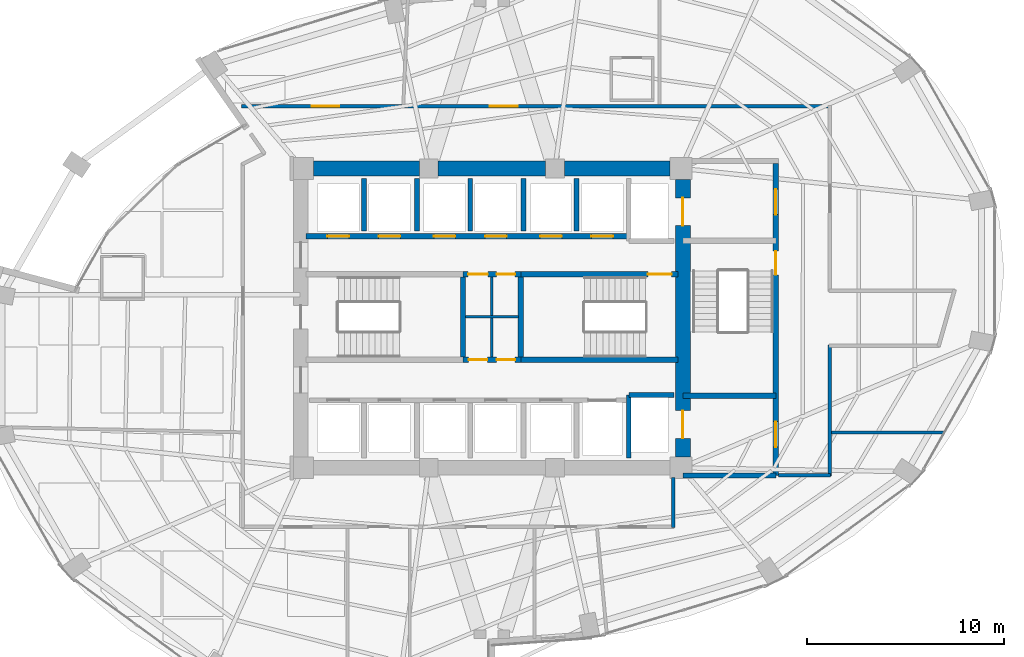
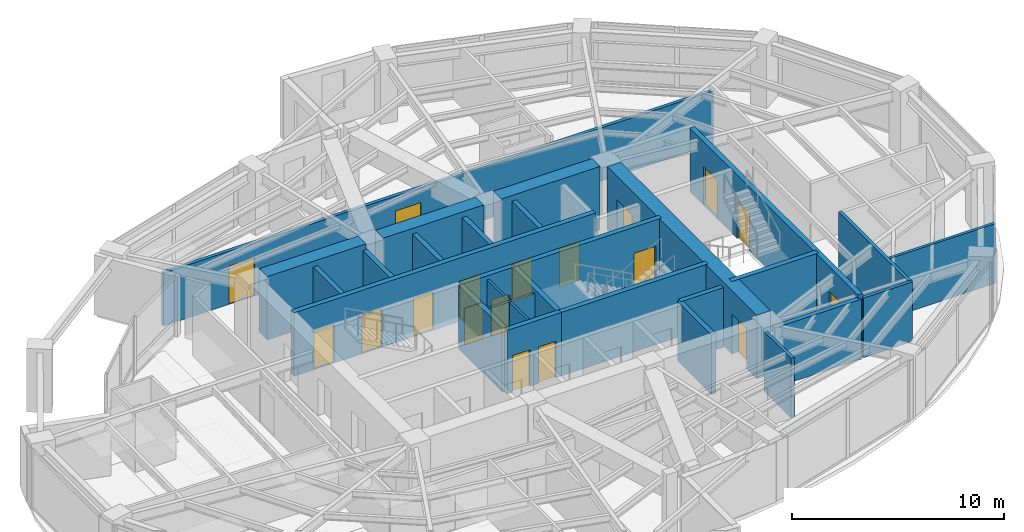
# One storey, part 21 of 24: 28 walls, 18 doors, 18 openings.
"""IFC4 building model written with IfcOpenShell, lengths in metres."""

from ifc_helpers import new_model, si_unit, direction, frame, frame_2d, origin, place, context, subcontext, project, spatial, rectangle, extrude, material, layer, layer_set, type_object, element, fill, save


model = new_model("IFC4")

# Units and contexts
model_context = context("Model", 3, precision=1e-05, world=origin(), true_north=direction((0.0, 1.0)))
body_context = subcontext(model_context, "Body", "Model", "MODEL_VIEW")
ifc_project = project(units=[si_unit("LENGTHUNIT", "METRE"), si_unit("AREAUNIT", "SQUARE_METRE"), si_unit("VOLUMEUNIT", "CUBIC_METRE"), si_unit("PLANEANGLEUNIT", "RADIAN"), si_unit("MASSUNIT", "GRAM", prefix="KILO")], contexts=[model_context])

# Site, building, storey
site_placement = place(None, origin())
site = spatial("IfcSite", under=ifc_project, at=site_placement, CompositionType="ELEMENT")
building_placement = place(site_placement, origin())
building = spatial("IfcBuilding", under=site, at=building_placement, Name="Lazwardi Medical Tower", CompositionType="ELEMENT")
storey_placement = place(building_placement, frame((0.0, 0.0, 114.575927734375)))
storey = spatial("IfcBuildingStorey", under=building, at=storey_placement, Name="L29", CompositionType="ELEMENT", Elevation=114.575927734375)

# Wall, openings, doors
ifc_material_1 = material(Name="Fire-rated gypsum board on steel stud", Category="steel")
ifc_layer_1 = layer(ifc_material_1, 0.179931640625)
ifc_layer_set_1 = layer_set([ifc_layer_1], Name="Fire-rated gypsum board on steel stud")
wall_type_1 = type_object("IfcWallType", Name="WL-COR-180", PredefinedType="PARTITIONING", material=ifc_layer_set_1)
wall_1_placement = place(storey_placement, frame((23.28662109375, 38.75, 0.0), z_axis=(0.0, 0.0, 1.0), x_axis=(1.0, 0.0, 0.0)))
wall_1 = element("IfcWall", 1, at=wall_1_placement, inside=storey, type_object=wall_type_1, Name="L29 Corridor partition 4", PredefinedType="PARTITIONING", context=body_context, shape_type="SweptSolid", body=[
    extrude(rectangle(XDim=29.9033203125, YDim=0.179931640625, at=frame_2d((14.95166015625, 0.0))), origin(), (0.0, 0.0, 1.0), 3.052978515625),
])
opening_1_placement = place(wall_1_placement, frame((12.614990234375, 0.0, 0.0)))
opening_1 = element("IfcOpeningElement", 2, at=opening_1_placement, cuts=wall_1, Name="Opening D-L29-017", PredefinedType="OPENING", context=body_context, shape_type="SweptSolid", body=[
    extrude(rectangle(XDim=1.39990234375, YDim=2.199951171875, at=frame_2d((0.699951171875, 1.10009765625))), frame((0.0, 0.099853515625, 0.0), z_axis=(0.0, -1.0, 0.0), x_axis=(1.0, 0.0, 0.0)), (0.0, 0.0, 1.0), 0.199951171875),
])
opening_2_placement = place(wall_1_placement, frame((3.5673828125, 0.0, 0.0)))
opening_2 = element("IfcOpeningElement", 3, at=opening_2_placement, cuts=wall_1, Name="Opening D-L29-018", PredefinedType="OPENING", context=body_context, shape_type="SweptSolid", body=[
    extrude(rectangle(XDim=1.39990234375, YDim=2.199951171875, at=frame_2d((0.699951171875, 1.10009765625))), frame((0.0, 0.099853515625, 0.0), z_axis=(0.0, -1.0, 0.0), x_axis=(1.0, 0.0, 0.0)), (0.0, 0.0, 1.0), 0.199951171875),
])
ifc_material_2 = material(Name="Anti-microbial laminate hospital leaf")
door_type_1 = type_object("IfcDoorType", Name="DR-BED-1400", OperationType="NOTDEFINED", PredefinedType="DOOR", material=ifc_material_2)
door_1_placement = place(opening_1_placement, origin())
door_1 = element("IfcDoor", 4, at=door_1_placement, inside=storey, type_object=door_type_1, Name="L29 Inpatient Ward Door 07", OperationType="SINGLE_SWING_LEFT", OverallHeight=2.199951171875, OverallWidth=1.39990234375, PredefinedType="DOOR", context=body_context, shape_type="SweptSolid", body=[
    extrude(rectangle(XDim=1.39990234375, YDim=2.199951171875, at=frame_2d((0.699951171875, 1.10009765625))), frame((0.0, 0.02490234375, 0.0), z_axis=(0.0, -1.0, 0.0), x_axis=(1.0, 0.0, 0.0)), (0.0, 0.0, 1.0), 0.050048828125),
])
fill(opening_1, door_1)
door_2_placement = place(opening_2_placement, origin())
door_2 = element("IfcDoor", 5, at=door_2_placement, inside=storey, type_object=door_type_1, Name="L29 Inpatient Ward Door 08", OperationType="SINGLE_SWING_RIGHT", OverallHeight=2.199951171875, OverallWidth=1.39990234375, PredefinedType="DOOR", context=body_context, shape_type="SweptSolid", body=[
    extrude(rectangle(XDim=1.39990234375, YDim=2.199951171875, at=frame_2d((0.699951171875, 1.10009765625))), frame((0.0, 0.02490234375, 0.0), z_axis=(0.0, -1.0, 0.0), x_axis=(1.0, 0.0, 0.0)), (0.0, 0.0, 1.0), 0.050048828125),
])
fill(opening_2, door_2)

# Walls
wall_2_placement = place(storey_placement, frame((53.14990234375, 26.639892578125, 0.0), z_axis=(0.0, 0.0, 1.0), x_axis=(0.0, -1.0, 0.0)))
element("IfcWall", 6, at=wall_2_placement, inside=storey, type_object=wall_type_1, Name="L29 Corridor partition 9", PredefinedType="PARTITIONING", context=body_context, shape_type="SweptSolid", body=[
    extrude(rectangle(XDim=6.659912109375, YDim=0.179931640625, at=frame_2d((3.330078125, 0.0))), origin(), (0.0, 0.0, 1.0), 3.427978515625),
])
wall_3_placement = place(storey_placement, frame((53.18994140625, 20.02001953125, 0.0), z_axis=(0.0, 0.0, 1.0), x_axis=(-1.0, 0.0, 0.0)))
element("IfcWall", 7, at=wall_3_placement, inside=storey, type_object=wall_type_1, Name="L29 Corridor partition 10", PredefinedType="PARTITIONING", context=body_context, shape_type="SweptSolid", body=[
    extrude(rectangle(XDim=2.64990234375, YDim=0.179931640625, at=frame_2d((1.324951171875, 0.0))), origin(), (0.0, 0.0, 1.0), 3.427978515625),
])
wall_4_placement = place(storey_placement, frame((45.199951171875, 19.909912109375, 0.0), z_axis=(0.0, 0.0, 1.0), x_axis=(0.0, -1.0, 0.0)))
element("IfcWall", 8, at=wall_4_placement, inside=storey, type_object=wall_type_1, Name="L29 Corridor partition 13", PredefinedType="PARTITIONING", context=body_context, shape_type="SweptSolid", body=[
    extrude(rectangle(XDim=2.5498046875, YDim=0.179931640625, at=frame_2d((1.27490234375, 0.0))), origin(), (0.0, 0.0, 1.0), 3.427978515625),
])

# Wall, openings, doors
ifc_material_3 = material(Name="Concrete C70/85", Category="concrete")
ifc_layer_2 = layer(ifc_material_3, 0.75)
ifc_layer_set_2 = layer_set([ifc_layer_2], Name="Concrete C70/85")
wall_type_2 = type_object("IfcWallType", Name="WL-CORE-750", PredefinedType="SHEAR", material=ifc_layer_set_2)
wall_5_placement = place(storey_placement, frame((45.699951171875, 20.949951171875, 0.0), z_axis=(0.0, 0.0, 1.0), x_axis=(0.0, 1.0, 0.0)))
wall_5 = element("IfcWall", 9, at=wall_5_placement, inside=storey, type_object=wall_type_2, Name="Core wall CW-S2 east L29", PredefinedType="SHEAR", context=body_context, shape_type="SweptSolid", body=[
    extrude(rectangle(XDim=14.10009765625, YDim=0.75, at=frame_2d((7.050048828125, 0.0))), origin(), (0.0, 0.0, 1.0), 3.648193359375),
])
opening_3_placement = place(wall_5_placement, frame((11.75, 0.0, 0.0)))
opening_3 = element("IfcOpeningElement", 10, at=opening_3_placement, cuts=wall_5, Name="Opening LD-L29-001", PredefinedType="OPENING", context=body_context, shape_type="SweptSolid", body=[
    extrude(rectangle(XDim=1.39990234375, YDim=2.300048828125, at=frame_2d((0.699951171875, 1.14990234375))), frame((0.0, 0.385009765625, 0.0), z_axis=(0.0, -1.0, 0.0), x_axis=(1.0, 0.0, 0.0)), (0.0, 0.0, 1.0), 0.77001953125),
])
opening_4_placement = place(wall_5_placement, frame((0.949951171875, 0.0, 0.0)))
opening_4 = element("IfcOpeningElement", 11, at=opening_4_placement, cuts=wall_5, Name="Opening LD-L29-002", PredefinedType="OPENING", context=body_context, shape_type="SweptSolid", body=[
    extrude(rectangle(XDim=1.39990234375, YDim=2.300048828125, at=frame_2d((0.699951171875, 1.14990234375))), frame((0.0, 0.385009765625, 0.0), z_axis=(0.0, -1.0, 0.0), x_axis=(1.0, 0.0, 0.0)), (0.0, 0.0, 1.0), 0.77001953125),
])
ifc_material_4 = material(Name="Brushed stainless steel bed-lift landing door", Category="steel")
door_type_2 = type_object("IfcDoorType", Name="DR-LFT-1400", OperationType="NOTDEFINED", PredefinedType="DOOR", material=ifc_material_4)
door_3_placement = place(opening_3_placement, origin())
door_3 = element("IfcDoor", 12, at=door_3_placement, inside=storey, type_object=door_type_2, Name="L29 Lift Landing Door FL-01", OperationType="SLIDING_TO_LEFT", OverallHeight=2.300048828125, OverallWidth=1.39990234375, PredefinedType="DOOR", context=body_context, shape_type="SweptSolid", body=[
    extrude(rectangle(XDim=1.39990234375, YDim=2.300048828125, at=frame_2d((0.699951171875, 1.14990234375))), frame((0.0, 0.02490234375, 0.0), z_axis=(0.0, -1.0, 0.0), x_axis=(1.0, 0.0, 0.0)), (0.0, 0.0, 1.0), 0.050048828125),
])
fill(opening_3, door_3)
door_4_placement = place(opening_4_placement, origin())
door_4 = element("IfcDoor", 13, at=door_4_placement, inside=storey, type_object=door_type_2, Name="L29 Lift Landing Door FL-02", OperationType="SLIDING_TO_LEFT", OverallHeight=2.300048828125, OverallWidth=1.39990234375, PredefinedType="DOOR", context=body_context, shape_type="SweptSolid", body=[
    extrude(rectangle(XDim=1.39990234375, YDim=2.300048828125, at=frame_2d((0.699951171875, 1.14990234375))), frame((0.0, 0.02490234375, 0.0), z_axis=(0.0, -1.0, 0.0), x_axis=(1.0, 0.0, 0.0)), (0.0, 0.0, 1.0), 0.050048828125),
])
fill(opening_4, door_4)

# Walls
wall_6_placement = place(storey_placement, frame((26.949951171875, 35.60009765625, 0.0), z_axis=(0.0, 0.0, 1.0), x_axis=(1.0, 0.0, 0.0)))
element("IfcWall", 14, at=wall_6_placement, inside=storey, type_object=wall_type_2, Name="Core wall CW-S2 N1 L29", PredefinedType="SHEAR", context=body_context, shape_type="SweptSolid", body=[
    extrude(rectangle(XDim=5.375, YDim=0.75, at=frame_2d((2.6875, 0.0))), origin(), (0.0, 0.0, 1.0), 3.648193359375),
])
wall_7_placement = place(storey_placement, frame((33.27490234375, 35.60009765625, 0.0), z_axis=(0.0, 0.0, 1.0), x_axis=(1.0, 0.0, 0.0)))
element("IfcWall", 15, at=wall_7_placement, inside=storey, type_object=wall_type_2, Name="Core wall CW-S2 N2 L29", PredefinedType="SHEAR", context=body_context, shape_type="SweptSolid", body=[
    extrude(rectangle(XDim=5.4501953125, YDim=0.75, at=frame_2d((2.72509765625, 0.0))), origin(), (0.0, 0.0, 1.0), 3.648193359375),
])
wall_8_placement = place(storey_placement, frame((39.675048828125, 35.60009765625, 0.0), z_axis=(0.0, 0.0, 1.0), x_axis=(1.0, 0.0, 0.0)))
element("IfcWall", 16, at=wall_8_placement, inside=storey, type_object=wall_type_2, Name="Core wall CW-S2 N3 L29", PredefinedType="SHEAR", context=body_context, shape_type="SweptSolid", body=[
    extrude(rectangle(XDim=5.375, YDim=0.75, at=frame_2d((2.6875, 0.0))), origin(), (0.0, 0.0, 1.0), 3.648193359375),
])
ifc_material_5 = material(Name="Moisture-resistant gypsum board partition")
ifc_layer_3 = layer(ifc_material_5, 0.125)
ifc_layer_set_3 = layer_set([ifc_layer_3], Name="Moisture-resistant gypsum board partition")
wall_type_3 = type_object("IfcWallType", Name="WL-ENS-125", PredefinedType="PARTITIONING", material=ifc_layer_set_3)
wall_9_placement = place(storey_placement, frame((34.64990234375, 28.06005859375, 0.0), z_axis=(0.0, 0.0, 1.0), x_axis=(1.0, 0.0, 0.0)))
element("IfcWall", 17, at=wall_9_placement, inside=storey, type_object=wall_type_3, Name="L29 Core 4-way H divider", PredefinedType="PARTITIONING", context=body_context, shape_type="SweptSolid", body=[
    extrude(rectangle(XDim=2.7001953125, YDim=0.125, at=frame_2d((1.35009765625, 0.0))), origin(), (0.0, 0.0, 1.0), 3.427978515625),
])
wall_10_placement = place(storey_placement, frame((36.0, 26.02001953125, 0.0), z_axis=(0.0, 0.0, 1.0), x_axis=(0.0, 1.0, 0.0)))
element("IfcWall", 18, at=wall_10_placement, inside=storey, type_object=wall_type_3, Name="L29 Core 4-way V divider", PredefinedType="PARTITIONING", context=body_context, shape_type="SweptSolid", body=[
    extrude(rectangle(XDim=4.080078125, YDim=0.125, at=frame_2d((2.0400390625, 0.0))), origin(), (0.0, 0.0, 1.0), 3.427978515625),
])
ifc_material_6 = material(Name="Autoclaved aerated concrete blockwork", Category="masonry")
ifc_layer_4 = layer(ifc_material_6, 0.25)
ifc_layer_set_4 = layer_set([ifc_layer_4], Name="Autoclaved aerated concrete blockwork")
wall_type_4 = type_object("IfcWallType", Name="WL-SHAFT-250", PredefinedType="SOLIDWALL", material=ifc_layer_set_4)
wall_11_placement = place(storey_placement, frame((42.949951171875, 20.89990234375, 0.0), z_axis=(0.0, 0.0, 1.0), x_axis=(0.0, 1.0, 0.0)))
element("IfcWall", 19, at=wall_11_placement, inside=storey, type_object=wall_type_4, Name="L29 FL-02 West shaft wall", PredefinedType="SOLIDWALL", context=body_context, shape_type="SweptSolid", body=[
    extrude(rectangle(XDim=3.2001953125, YDim=0.25, at=frame_2d((1.60009765625, 0.0))), origin(), (0.0, 0.0, 1.0), 3.427978515625),
])
wall_12_placement = place(storey_placement, frame((42.949951171875, 24.10009765625, 0.0), z_axis=(0.0, 0.0, 1.0), x_axis=(1.0, 0.0, 0.0)))
element("IfcWall", 20, at=wall_12_placement, inside=storey, type_object=wall_type_4, Name="L29 FL-02 North shaft wall", PredefinedType="SOLIDWALL", context=body_context, shape_type="SweptSolid", body=[
    extrude(rectangle(XDim=2.300048828125, YDim=0.25, at=frame_2d((1.14990234375, 0.0))), origin(), (0.0, 0.0, 1.0), 3.427978515625),
])
for number, where, z_axis, x_axis, name in (
    (21, (29.5, 32.419921875, 0.0), (0.0, 0.0, 1.0), (0.0, 1.0, 0.0), "L29 North hoistway divider"),
    (22, (32.199951171875, 32.419921875, 0.0), (0.0, 0.0, 1.0), (0.0, 1.0, 0.0), "L29 North hoistway divider"),
    (23, (34.89990234375, 32.419921875, 0.0), (0.0, 0.0, 1.0), (0.0, 1.0, 0.0), "L29 North hoistway divider"),
    (24, (37.60009765625, 32.419921875, 0.0), (0.0, 0.0, 1.0), (0.0, 1.0, 0.0), "L29 North hoistway divider"),
    (25, (40.300048828125, 32.419921875, 0.0), (0.0, 0.0, 1.0), (0.0, 1.0, 0.0), "L29 North hoistway divider"),
):
    element("IfcWall", number, at=place(storey_placement, frame(where, z_axis=z_axis, x_axis=x_axis)), inside=storey, type_object=wall_type_4, Name=name, PredefinedType="SOLIDWALL", context=body_context, shape_type="SweptSolid", body=[
        extrude(rectangle(XDim=2.68017578125, YDim=0.25, at=frame_2d((1.340087890625, 0.0))), origin(), (0.0, 0.0, 1.0), 3.427978515625),
    ])
wall_13_placement = place(storey_placement, frame((45.699951171875, 20.02001953125, 0.0), z_axis=(0.0, 0.0, 1.0), x_axis=(1.0, 0.0, 0.0)))
element("IfcWall", 26, at=wall_13_placement, inside=storey, type_object=wall_type_4, Name="L29 FFL-S South wall", PredefinedType="SOLIDWALL", context=body_context, shape_type="SweptSolid", body=[
    extrude(rectangle(XDim=4.715087890625, YDim=0.25, at=frame_2d((2.357421875, 0.0))), origin(), (0.0, 0.0, 1.0), 3.427978515625),
])

# Wall, openings, doors
ifc_material_7 = material(Name="Concrete C50/60", Category="concrete")
ifc_layer_5 = layer(ifc_material_7, 0.27001953125)
ifc_layer_set_5 = layer_set([ifc_layer_5], Name="Concrete C50/60")
wall_type_5 = type_object("IfcWallType", Name="WL-STR-250", PredefinedType="SHEAR", material=ifc_layer_set_5)
wall_14_placement = place(storey_placement, frame((34.534912109375, 30.235107421875, 0.0), z_axis=(0.0, 0.0, 1.0), x_axis=(1.0, 0.0, 0.0)))
wall_14 = element("IfcWall", 27, at=wall_14_placement, inside=storey, type_object=wall_type_5, Name="L29 Core service North shear wall SW-S1", PredefinedType="SHEAR", context=body_context, shape_type="SweptSolid", body=[
    extrude(rectangle(XDim=2.93017578125, YDim=0.27001953125, at=frame_2d((1.465087890625, 0.0))), origin(), (0.0, 0.0, 1.0), 3.648193359375),
])
opening_5_placement = place(wall_14_placement, frame((0.2548828125, 0.0, 0.0)))
opening_5 = element("IfcOpeningElement", 28, at=opening_5_placement, cuts=wall_14, Name="Opening D-L29-003", PredefinedType="OPENING", context=body_context, shape_type="SweptSolid", body=[
    extrude(rectangle(XDim=1.0, YDim=2.10009765625, at=frame_2d((0.5, 1.050048828125))), frame((0.0, 0.14501953125, 0.0), z_axis=(0.0, -1.0, 0.0), x_axis=(1.0, 0.0, 0.0)), (0.0, 0.0, 1.0), 0.2900390625),
])
opening_6_placement = place(wall_14_placement, frame((1.699951171875, 0.0, 0.0)))
opening_6 = element("IfcOpeningElement", 29, at=opening_6_placement, cuts=wall_14, Name="Opening D-L29-004", PredefinedType="OPENING", context=body_context, shape_type="SweptSolid", body=[
    extrude(rectangle(XDim=0.949951171875, YDim=2.10009765625, at=frame_2d((0.47509765625, 1.050048828125))), frame((0.0, 0.14501953125, 0.0), z_axis=(0.0, -1.0, 0.0), x_axis=(1.0, 0.0, 0.0)), (0.0, 0.0, 1.0), 0.2900390625),
])
ifc_material_8 = material(Name="Moisture-resistant laminate door leaf")
door_type_3 = type_object("IfcDoorType", Name="DR-AWC-1000", OperationType="NOTDEFINED", PredefinedType="DOOR", material=ifc_material_8)
door_5_placement = place(opening_5_placement, origin())
door_5 = element("IfcDoor", 30, at=door_5_placement, inside=storey, type_object=door_type_3, Name="L29 Accessible WC Door", OperationType="SINGLE_SWING_LEFT", OverallHeight=2.10009765625, OverallWidth=1.0, PredefinedType="DOOR", context=body_context, shape_type="SweptSolid", body=[
    extrude(rectangle(XDim=1.0, YDim=2.10009765625, at=frame_2d((0.5, 1.050048828125))), frame((0.0, 0.02490234375, 0.0), z_axis=(0.0, -1.0, 0.0), x_axis=(1.0, 0.0, 0.0)), (0.0, 0.0, 1.0), 0.050048828125),
])
fill(opening_5, door_5)
door_type_4 = type_object("IfcDoorType", Name="DR-ENS-950", OperationType="NOTDEFINED", PredefinedType="DOOR", material=ifc_material_8)
door_6_placement = place(opening_6_placement, origin())
door_6 = element("IfcDoor", 31, at=door_6_placement, inside=storey, type_object=door_type_4, Name="L29 Clean Utility Door", OperationType="SINGLE_SWING_RIGHT", OverallHeight=2.10009765625, OverallWidth=0.949951171875, PredefinedType="DOOR", context=body_context, shape_type="SweptSolid", body=[
    extrude(rectangle(XDim=0.949951171875, YDim=2.10009765625, at=frame_2d((0.47509765625, 1.050048828125))), frame((0.0, 0.02490234375, 0.0), z_axis=(0.0, -1.0, 0.0), x_axis=(1.0, 0.0, 0.0)), (0.0, 0.0, 1.0), 0.050048828125),
])
fill(opening_6, door_6)

# Wall, opening, door
wall_15_placement = place(storey_placement, frame((37.465087890625, 30.235107421875, 0.0), z_axis=(0.0, 0.0, 1.0), x_axis=(1.0, 0.0, 0.0)))
wall_15 = element("IfcWall", 32, at=wall_15_placement, inside=storey, type_object=wall_type_5, Name="L29 ST2 North shear shaft wall SW-S1", PredefinedType="SHEAR", context=body_context, shape_type="SweptSolid", body=[
    extrude(rectangle(XDim=7.98486328125, YDim=0.27001953125, at=frame_2d((3.992431640625, 0.0))), origin(), (0.0, 0.0, 1.0), 3.648193359375),
])
opening_7_placement = place(wall_15_placement, frame((6.455078125, 0.0, 0.0)))
opening_7 = element("IfcOpeningElement", 33, at=opening_7_placement, cuts=wall_15, Name="Opening D-L29-021", PredefinedType="OPENING", context=body_context, shape_type="SweptSolid", body=[
    extrude(rectangle(XDim=1.199951171875, YDim=2.14990234375, at=frame_2d((0.60009765625, 1.074951171875))), frame((0.0, 0.14501953125, 0.0), z_axis=(0.0, -1.0, 0.0), x_axis=(1.0, 0.0, 0.0)), (0.0, 0.0, 1.0), 0.2900390625),
])
ifc_material_9 = material(Name="Fire-rated steel leaf and frame", Category="steel")
door_type_5 = type_object("IfcDoorType", Name="DR-STR-1200", OperationType="NOTDEFINED", PredefinedType="DOOR", material=ifc_material_9)
door_7_placement = place(opening_7_placement, origin())
door_7 = element("IfcDoor", 34, at=door_7_placement, inside=storey, type_object=door_type_5, Name="L29 Exit Stair ST2 Door", OperationType="SINGLE_SWING_RIGHT", OverallHeight=2.14990234375, OverallWidth=1.199951171875, PredefinedType="DOOR", context=body_context, shape_type="SweptSolid", body=[
    extrude(rectangle(XDim=1.199951171875, YDim=2.14990234375, at=frame_2d((0.60009765625, 1.074951171875))), frame((0.0, 0.02490234375, 0.0), z_axis=(0.0, -1.0, 0.0), x_axis=(1.0, 0.0, 0.0)), (0.0, 0.0, 1.0), 0.050048828125),
])
fill(opening_7, door_7)

# Wall, openings, doors
wall_16_placement = place(storey_placement, frame((34.534912109375, 25.885009765625, 0.0), z_axis=(0.0, 0.0, 1.0), x_axis=(1.0, 0.0, 0.0)))
wall_16 = element("IfcWall", 35, at=wall_16_placement, inside=storey, type_object=wall_type_5, Name="L29 Core service South shear wall SW-S1", PredefinedType="SHEAR", context=body_context, shape_type="SweptSolid", body=[
    extrude(rectangle(XDim=2.93017578125, YDim=0.27001953125, at=frame_2d((1.465087890625, 0.0))), origin(), (0.0, 0.0, 1.0), 3.648193359375),
])
opening_8_placement = place(wall_16_placement, frame((0.280029296875, 0.0, 0.0)))
opening_8 = element("IfcOpeningElement", 36, at=opening_8_placement, cuts=wall_16, Name="Opening D-L29-001", PredefinedType="OPENING", context=body_context, shape_type="SweptSolid", body=[
    extrude(rectangle(XDim=0.949951171875, YDim=2.10009765625, at=frame_2d((0.47509765625, 1.050048828125))), frame((0.0, 0.14501953125, 0.0), z_axis=(0.0, -1.0, 0.0), x_axis=(1.0, 0.0, 0.0)), (0.0, 0.0, 1.0), 0.2900390625),
])
opening_9_placement = place(wall_16_placement, frame((1.699951171875, 0.0, 0.0)))
opening_9 = element("IfcOpeningElement", 37, at=opening_9_placement, cuts=wall_16, Name="Opening D-L29-002", PredefinedType="OPENING", context=body_context, shape_type="SweptSolid", body=[
    extrude(rectangle(XDim=0.949951171875, YDim=2.10009765625, at=frame_2d((0.47509765625, 1.050048828125))), frame((0.0, 0.14501953125, 0.0), z_axis=(0.0, -1.0, 0.0), x_axis=(1.0, 0.0, 0.0)), (0.0, 0.0, 1.0), 0.2900390625),
])
door_8_placement = place(opening_8_placement, origin())
door_8 = element("IfcDoor", 38, at=door_8_placement, inside=storey, type_object=door_type_4, Name="L29 Staff WC Door", OperationType="SINGLE_SWING_LEFT", OverallHeight=2.10009765625, OverallWidth=0.949951171875, PredefinedType="DOOR", context=body_context, shape_type="SweptSolid", body=[
    extrude(rectangle(XDim=0.949951171875, YDim=2.10009765625, at=frame_2d((0.47509765625, 1.050048828125))), frame((0.0, 0.02490234375, 0.0), z_axis=(0.0, -1.0, 0.0), x_axis=(1.0, 0.0, 0.0)), (0.0, 0.0, 1.0), 0.050048828125),
])
fill(opening_8, door_8)
door_9_placement = place(opening_9_placement, origin())
door_9 = element("IfcDoor", 39, at=door_9_placement, inside=storey, type_object=door_type_4, Name="L29 Comms Room Door", OperationType="SINGLE_SWING_RIGHT", OverallHeight=2.10009765625, OverallWidth=0.949951171875, PredefinedType="DOOR", context=body_context, shape_type="SweptSolid", body=[
    extrude(rectangle(XDim=0.949951171875, YDim=2.10009765625, at=frame_2d((0.47509765625, 1.050048828125))), frame((0.0, 0.02490234375, 0.0), z_axis=(0.0, -1.0, 0.0), x_axis=(1.0, 0.0, 0.0)), (0.0, 0.0, 1.0), 0.050048828125),
])
fill(opening_9, door_9)

# Walls
wall_17_placement = place(storey_placement, frame((37.465087890625, 25.885009765625, 0.0), z_axis=(0.0, 0.0, 1.0), x_axis=(1.0, 0.0, 0.0)))
element("IfcWall", 40, at=wall_17_placement, inside=storey, type_object=wall_type_5, Name="L29 ST2 South shear shaft wall SW-S1", PredefinedType="SHEAR", context=body_context, shape_type="SweptSolid", body=[
    extrude(rectangle(XDim=7.98486328125, YDim=0.27001953125, at=frame_2d((3.992431640625, 0.0))), origin(), (0.0, 0.0, 1.0), 3.648193359375),
])
for number, where, z_axis, x_axis, name in (
    (41, (34.534912109375, 26.02001953125, 0.0), (0.0, 0.0, 1.0), (0.0, 1.0, 0.0), "L29 ST1 East shear shaft wall SW-S1"),
    (42, (37.465087890625, 26.02001953125, 0.0), (0.0, 0.0, 1.0), (0.0, 1.0, 0.0), "L29 ST2 West shear shaft wall SW-S1"),
):
    element("IfcWall", number, at=place(storey_placement, frame(where, z_axis=z_axis, x_axis=x_axis)), inside=storey, type_object=wall_type_5, Name=name, PredefinedType="SHEAR", context=body_context, shape_type="SweptSolid", body=[
        extrude(rectangle(XDim=4.080078125, YDim=0.27001953125, at=frame_2d((2.0400390625, 0.0))), origin(), (0.0, 0.0, 1.0), 3.648193359375),
    ])

# Wall, openings, doors
wall_18_placement = place(storey_placement, frame((26.550048828125, 32.14990234375, 0.0), z_axis=(0.0, 0.0, 1.0), x_axis=(1.0, 0.0, 0.0)))
wall_18 = element("IfcWall", 43, at=wall_18_placement, inside=storey, type_object=wall_type_5, Name="L29 North lift bank shear wall SW-S1", PredefinedType="SHEAR", context=body_context, shape_type="SweptSolid", body=[
    extrude(rectangle(XDim=16.39990234375, YDim=0.27001953125, at=frame_2d((8.199951171875, 0.0))), origin(), (0.0, 0.0, 1.0), 3.648193359375),
])
opening_10_placement = place(wall_18_placement, frame((1.10009765625, 0.0, 0.0)))
opening_10 = element("IfcOpeningElement", 44, at=opening_10_placement, cuts=wall_18, Name="Opening LD-L29-004", PredefinedType="OPENING", context=body_context, shape_type="SweptSolid", body=[
    extrude(rectangle(XDim=1.10009765625, YDim=2.199951171875, at=frame_2d((0.550048828125, 1.10009765625))), frame((0.0, 0.14501953125, 0.0), z_axis=(0.0, -1.0, 0.0), x_axis=(1.0, 0.0, 0.0)), (0.0, 0.0, 1.0), 0.2900390625),
])
opening_11_placement = place(wall_18_placement, frame((3.699951171875, 0.0, 0.0)))
opening_11 = element("IfcOpeningElement", 45, at=opening_11_placement, cuts=wall_18, Name="Opening LD-L29-005", PredefinedType="OPENING", context=body_context, shape_type="SweptSolid", body=[
    extrude(rectangle(XDim=1.10009765625, YDim=2.199951171875, at=frame_2d((0.550048828125, 1.10009765625))), frame((0.0, 0.14501953125, 0.0), z_axis=(0.0, -1.0, 0.0), x_axis=(1.0, 0.0, 0.0)), (0.0, 0.0, 1.0), 0.2900390625),
])
opening_12_placement = place(wall_18_placement, frame((6.5, 0.0, 0.0)))
opening_12 = element("IfcOpeningElement", 46, at=opening_12_placement, cuts=wall_18, Name="Opening LD-L29-008", PredefinedType="OPENING", context=body_context, shape_type="SweptSolid", body=[
    extrude(rectangle(XDim=1.10009765625, YDim=2.199951171875, at=frame_2d((0.550048828125, 1.10009765625))), frame((0.0, 0.14501953125, 0.0), z_axis=(0.0, -1.0, 0.0), x_axis=(1.0, 0.0, 0.0)), (0.0, 0.0, 1.0), 0.2900390625),
])
opening_13_placement = place(wall_18_placement, frame((9.10009765625, 0.0, 0.0)))
opening_13 = element("IfcOpeningElement", 47, at=opening_13_placement, cuts=wall_18, Name="Opening LD-L29-009", PredefinedType="OPENING", context=body_context, shape_type="SweptSolid", body=[
    extrude(rectangle(XDim=1.10009765625, YDim=2.199951171875, at=frame_2d((0.550048828125, 1.10009765625))), frame((0.0, 0.14501953125, 0.0), z_axis=(0.0, -1.0, 0.0), x_axis=(1.0, 0.0, 0.0)), (0.0, 0.0, 1.0), 0.2900390625),
])
opening_14_placement = place(wall_18_placement, frame((11.89990234375, 0.0, 0.0)))
opening_14 = element("IfcOpeningElement", 48, at=opening_14_placement, cuts=wall_18, Name="Opening LD-L29-012", PredefinedType="OPENING", context=body_context, shape_type="SweptSolid", body=[
    extrude(rectangle(XDim=1.10009765625, YDim=2.199951171875, at=frame_2d((0.550048828125, 1.10009765625))), frame((0.0, 0.14501953125, 0.0), z_axis=(0.0, -1.0, 0.0), x_axis=(1.0, 0.0, 0.0)), (0.0, 0.0, 1.0), 0.2900390625),
])
opening_15_placement = place(wall_18_placement, frame((14.5, 0.0, 0.0)))
opening_15 = element("IfcOpeningElement", 49, at=opening_15_placement, cuts=wall_18, Name="Opening LD-L29-013", PredefinedType="OPENING", context=body_context, shape_type="SweptSolid", body=[
    extrude(rectangle(XDim=1.10009765625, YDim=2.199951171875, at=frame_2d((0.550048828125, 1.10009765625))), frame((0.0, 0.14501953125, 0.0), z_axis=(0.0, -1.0, 0.0), x_axis=(1.0, 0.0, 0.0)), (0.0, 0.0, 1.0), 0.2900390625),
])
ifc_material_10 = material(Name="Brushed bronze stainless steel landing door", Category="steel")
door_type_6 = type_object("IfcDoorType", Name="DR-LFT-1100", OperationType="NOTDEFINED", PredefinedType="DOOR", material=ifc_material_10)
door_10_placement = place(opening_10_placement, origin())
door_10 = element("IfcDoor", 50, at=door_10_placement, inside=storey, type_object=door_type_6, Name="L29 Lift Landing Door PL-01", OperationType="SLIDING_TO_LEFT", OverallHeight=2.199951171875, OverallWidth=1.10009765625, PredefinedType="DOOR", context=body_context, shape_type="SweptSolid", body=[
    extrude(rectangle(XDim=1.10009765625, YDim=2.199951171875, at=frame_2d((0.550048828125, 1.10009765625))), frame((0.0, 0.02490234375, 0.0), z_axis=(0.0, -1.0, 0.0), x_axis=(1.0, 0.0, 0.0)), (0.0, 0.0, 1.0), 0.050048828125),
])
fill(opening_10, door_10)
door_11_placement = place(opening_11_placement, origin())
door_11 = element("IfcDoor", 51, at=door_11_placement, inside=storey, type_object=door_type_6, Name="L29 Lift Landing Door PL-02", OperationType="SLIDING_TO_LEFT", OverallHeight=2.199951171875, OverallWidth=1.10009765625, PredefinedType="DOOR", context=body_context, shape_type="SweptSolid", body=[
    extrude(rectangle(XDim=1.10009765625, YDim=2.199951171875, at=frame_2d((0.550048828125, 1.10009765625))), frame((0.0, 0.02490234375, 0.0), z_axis=(0.0, -1.0, 0.0), x_axis=(1.0, 0.0, 0.0)), (0.0, 0.0, 1.0), 0.050048828125),
])
fill(opening_11, door_11)
door_12_placement = place(opening_12_placement, origin())
door_12 = element("IfcDoor", 52, at=door_12_placement, inside=storey, type_object=door_type_6, Name="L29 Lift Landing Door PL-05", OperationType="SLIDING_TO_LEFT", OverallHeight=2.199951171875, OverallWidth=1.10009765625, PredefinedType="DOOR", context=body_context, shape_type="SweptSolid", body=[
    extrude(rectangle(XDim=1.10009765625, YDim=2.199951171875, at=frame_2d((0.550048828125, 1.10009765625))), frame((0.0, 0.02490234375, 0.0), z_axis=(0.0, -1.0, 0.0), x_axis=(1.0, 0.0, 0.0)), (0.0, 0.0, 1.0), 0.050048828125),
])
fill(opening_12, door_12)
door_13_placement = place(opening_13_placement, origin())
door_13 = element("IfcDoor", 53, at=door_13_placement, inside=storey, type_object=door_type_6, Name="L29 Lift Landing Door PL-06", OperationType="SLIDING_TO_LEFT", OverallHeight=2.199951171875, OverallWidth=1.10009765625, PredefinedType="DOOR", context=body_context, shape_type="SweptSolid", body=[
    extrude(rectangle(XDim=1.10009765625, YDim=2.199951171875, at=frame_2d((0.550048828125, 1.10009765625))), frame((0.0, 0.02490234375, 0.0), z_axis=(0.0, -1.0, 0.0), x_axis=(1.0, 0.0, 0.0)), (0.0, 0.0, 1.0), 0.050048828125),
])
fill(opening_13, door_13)
door_14_placement = place(opening_14_placement, origin())
door_14 = element("IfcDoor", 54, at=door_14_placement, inside=storey, type_object=door_type_6, Name="L29 Lift Landing Door PL-09", OperationType="SLIDING_TO_LEFT", OverallHeight=2.199951171875, OverallWidth=1.10009765625, PredefinedType="DOOR", context=body_context, shape_type="SweptSolid", body=[
    extrude(rectangle(XDim=1.10009765625, YDim=2.199951171875, at=frame_2d((0.550048828125, 1.10009765625))), frame((0.0, 0.02490234375, 0.0), z_axis=(0.0, -1.0, 0.0), x_axis=(1.0, 0.0, 0.0)), (0.0, 0.0, 1.0), 0.050048828125),
])
fill(opening_14, door_14)
door_15_placement = place(opening_15_placement, origin())
door_15 = element("IfcDoor", 55, at=door_15_placement, inside=storey, type_object=door_type_6, Name="L29 Lift Landing Door PL-10", OperationType="SLIDING_TO_LEFT", OverallHeight=2.199951171875, OverallWidth=1.10009765625, PredefinedType="DOOR", context=body_context, shape_type="SweptSolid", body=[
    extrude(rectangle(XDim=1.10009765625, YDim=2.199951171875, at=frame_2d((0.550048828125, 1.10009765625))), frame((0.0, 0.02490234375, 0.0), z_axis=(0.0, -1.0, 0.0), x_axis=(1.0, 0.0, 0.0)), (0.0, 0.0, 1.0), 0.050048828125),
])
fill(opening_15, door_15)

wall_19_placement = place(storey_placement, frame((50.4150390625, 35.844970703125, 0.0), z_axis=(0.0, 0.0, 1.0), x_axis=(0.0, -1.0, 0.0)))
wall_19 = element("IfcWall", 56, at=wall_19_placement, inside=storey, type_object=wall_type_5, Name="L29 East ST3 & FFL shear wall SW-S1", PredefinedType="SHEAR", context=body_context, shape_type="SweptSolid", body=[
    extrude(rectangle(XDim=15.824951171875, YDim=0.27001953125, at=frame_2d((7.91259765625, 0.0))), origin(), (0.0, 0.0, 1.0), 3.648193359375),
])
opening_16_placement = place(wall_19_placement, frame((4.445068359375, 0.0, 0.0)))
opening_16 = element("IfcOpeningElement", 57, at=opening_16_placement, cuts=wall_19, Name="Opening D-L29-022", PredefinedType="OPENING", context=body_context, shape_type="SweptSolid", body=[
    extrude(rectangle(XDim=1.199951171875, YDim=2.14990234375, at=frame_2d((0.60009765625, 1.074951171875))), frame((0.0, 0.14501953125, 0.0), z_axis=(0.0, -1.0, 0.0), x_axis=(1.0, 0.0, 0.0)), (0.0, 0.0, 1.0), 0.2900390625),
])
opening_17_placement = place(wall_19_placement, frame((1.294921875, 0.0, 0.0)))
opening_17 = element("IfcOpeningElement", 58, at=opening_17_placement, cuts=wall_19, Name="Opening D-L29-007", PredefinedType="OPENING", context=body_context, shape_type="SweptSolid", body=[
    extrude(rectangle(XDim=1.300048828125, YDim=2.199951171875, at=frame_2d((0.64990234375, 1.10009765625))), frame((0.0, 0.14501953125, 0.0), z_axis=(0.0, -1.0, 0.0), x_axis=(1.0, 0.0, 0.0)), (0.0, 0.0, 1.0), 0.2900390625),
])
opening_18_placement = place(wall_19_placement, frame((13.094970703125, 0.0, 0.0)))
opening_18 = element("IfcOpeningElement", 59, at=opening_18_placement, cuts=wall_19, Name="Opening D-L29-008", PredefinedType="OPENING", context=body_context, shape_type="SweptSolid", body=[
    extrude(rectangle(XDim=1.300048828125, YDim=2.199951171875, at=frame_2d((0.64990234375, 1.10009765625))), frame((0.0, 0.14501953125, 0.0), z_axis=(0.0, -1.0, 0.0), x_axis=(1.0, 0.0, 0.0)), (0.0, 0.0, 1.0), 0.2900390625),
])
door_type_7 = type_object("IfcDoorType", Name="DR-FFL-1300", OperationType="NOTDEFINED", PredefinedType="DOOR", material=ifc_material_9)
door_16_placement = place(opening_17_placement, origin())
door_16 = element("IfcDoor", 60, at=door_16_placement, inside=storey, type_object=door_type_7, Name="L29 Fire-Fighting Lobby North Door", OperationType="SINGLE_SWING_RIGHT", OverallHeight=2.199951171875, OverallWidth=1.300048828125, PredefinedType="DOOR", context=body_context, shape_type="SweptSolid", body=[
    extrude(rectangle(XDim=1.300048828125, YDim=2.199951171875, at=frame_2d((0.64990234375, 1.10009765625))), frame((0.0, 0.02490234375, 0.0), z_axis=(0.0, -1.0, 0.0), x_axis=(1.0, 0.0, 0.0)), (0.0, 0.0, 1.0), 0.050048828125),
])
fill(opening_17, door_16)
door_17_placement = place(opening_18_placement, origin())
door_17 = element("IfcDoor", 61, at=door_17_placement, inside=storey, type_object=door_type_7, Name="L29 Fire-Fighting Lobby South Door", OperationType="SINGLE_SWING_LEFT", OverallHeight=2.199951171875, OverallWidth=1.300048828125, PredefinedType="DOOR", context=body_context, shape_type="SweptSolid", body=[
    extrude(rectangle(XDim=1.300048828125, YDim=2.199951171875, at=frame_2d((0.64990234375, 1.10009765625))), frame((0.0, 0.02490234375, 0.0), z_axis=(0.0, -1.0, 0.0), x_axis=(1.0, 0.0, 0.0)), (0.0, 0.0, 1.0), 0.050048828125),
])
fill(opening_18, door_17)
door_18_placement = place(opening_16_placement, origin())
door_18 = element("IfcDoor", 62, at=door_18_placement, inside=storey, type_object=door_type_5, Name="L29 Exit Stair ST3 Door", OperationType="SINGLE_SWING_LEFT", OverallHeight=2.14990234375, OverallWidth=1.199951171875, PredefinedType="DOOR", context=body_context, shape_type="SweptSolid", body=[
    extrude(rectangle(XDim=1.199951171875, YDim=2.14990234375, at=frame_2d((0.60009765625, 1.074951171875))), frame((0.0, 0.02490234375, 0.0), z_axis=(0.0, -1.0, 0.0), x_axis=(1.0, 0.0, 0.0)), (0.0, 0.0, 1.0), 0.050048828125),
])
fill(opening_16, door_18)

# Walls
wall_20_placement = place(storey_placement, frame((45.699951171875, 24.06494140625, 0.0), z_axis=(0.0, 0.0, 1.0), x_axis=(1.0, 0.0, 0.0)))
element("IfcWall", 63, at=wall_20_placement, inside=storey, type_object=wall_type_5, Name="L29 ST3 South shear shaft wall SW-S1", PredefinedType="SHEAR", context=body_context, shape_type="SweptSolid", body=[
    extrude(rectangle(XDim=4.715087890625, YDim=0.27001953125, at=frame_2d((2.357421875, 0.0))), origin(), (0.0, 0.0, 1.0), 3.648193359375),
])
ifc_material_11 = material(Name="Acoustic gypsum board partition")
ifc_layer_6 = layer(ifc_material_11, 0.14990234375)
ifc_layer_set_6 = layer_set([ifc_layer_6], Name="Acoustic gypsum board partition")
wall_type_6 = type_object("IfcWallType", Name="WL-WRD-150", PredefinedType="PARTITIONING", material=ifc_layer_set_6)
wall_21_placement = place(storey_placement, frame((53.239990234375, 22.199951171875, 0.0), z_axis=(0.0, 0.0, 1.0), x_axis=(1.0, 0.0, 0.0)))
element("IfcWall", 64, at=wall_21_placement, inside=storey, type_object=wall_type_6, Name="L29 Room partition 2", PredefinedType="PARTITIONING", context=body_context, shape_type="SweptSolid", body=[
    extrude(rectangle(XDim=5.731201171875, YDim=0.14990234375, at=frame_2d((2.86572265625, 0.0))), origin(), (0.0, 0.0, 1.0), 3.427978515625),
])

save(model, "model.ifc")
